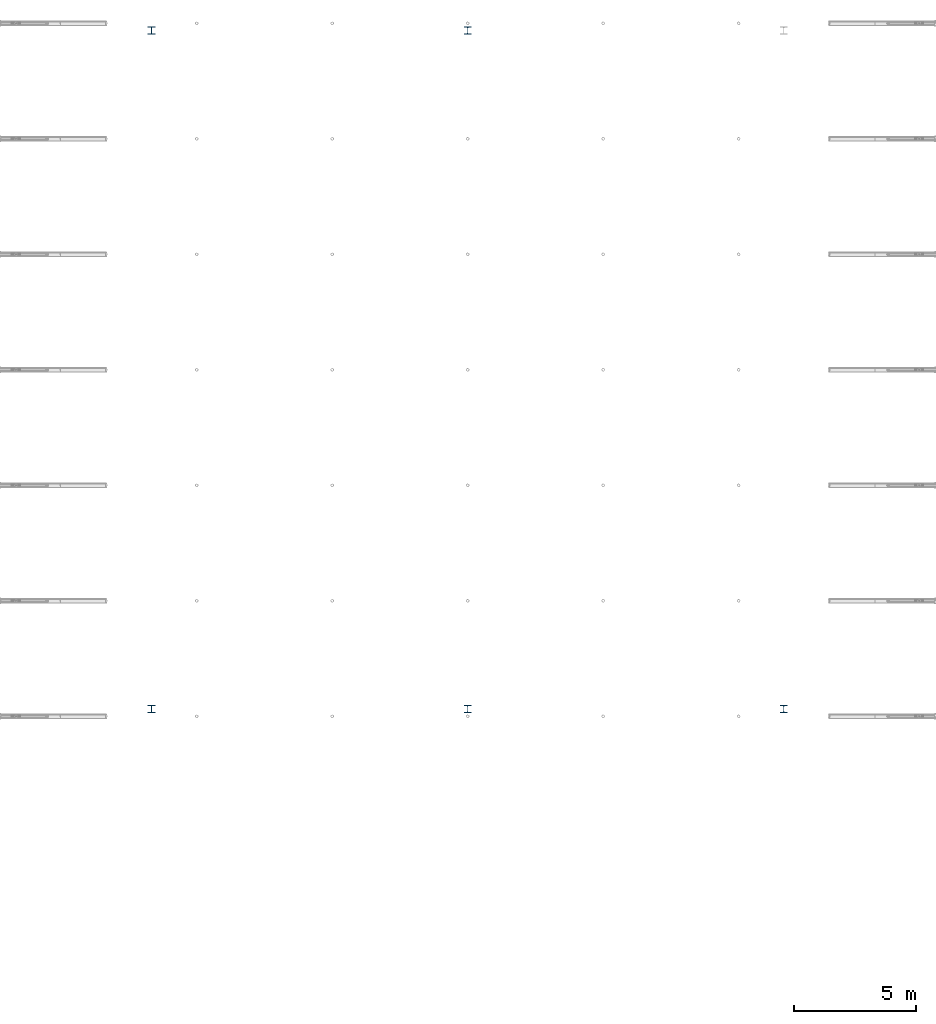
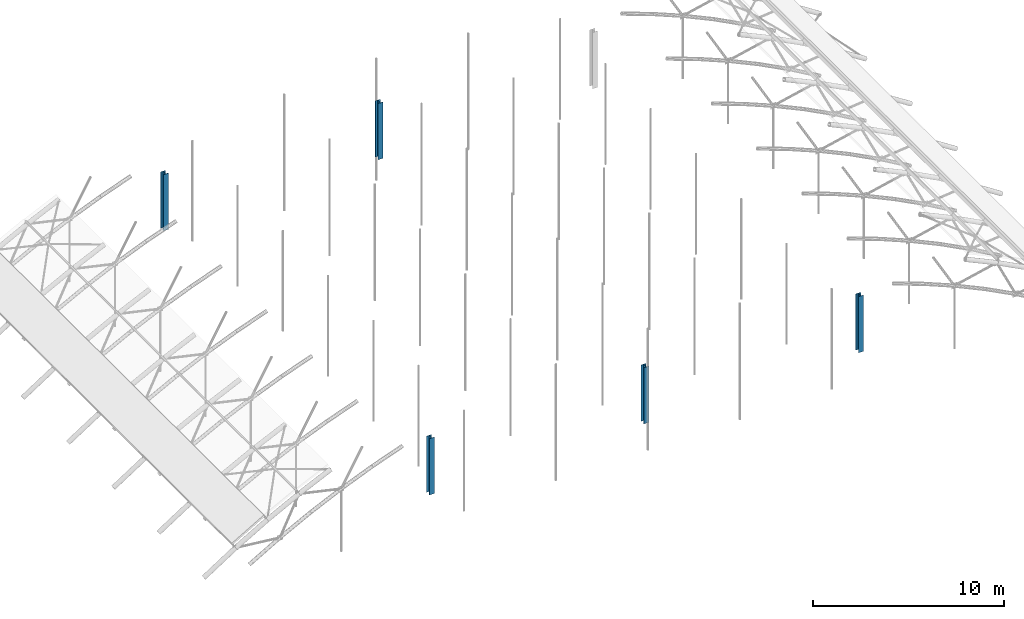
# One storey, part 2 of 50: 5 columns.
"""IFC4 building model written with IfcOpenShell, lengths in metres."""

from ifc_helpers import new_model, si_unit, direction, frame, origin, origin_2d, place, context, subcontext, project, spatial, i_section, extrude, material, material_profile, profile_set, type_object, element, save


model = new_model("IFC4")

# Units and contexts
model_context = context("Model", 3, precision=1e-05, world=origin(), true_north=direction((0.0, 1.0)))
body_context = subcontext(model_context, "Body", "Model", "MODEL_VIEW")
ifc_project = project(units=[si_unit("LENGTHUNIT", "METRE"), si_unit("AREAUNIT", "SQUARE_METRE"), si_unit("VOLUMEUNIT", "CUBIC_METRE"), si_unit("PLANEANGLEUNIT", "RADIAN"), si_unit("MASSUNIT", "GRAM", prefix="KILO")], contexts=[model_context])

# Site, building, storey
site_placement = place(None, origin())
site = spatial("IfcSite", under=ifc_project, at=site_placement, CompositionType="ELEMENT")
building_placement = place(site_placement, origin())
building = spatial("IfcBuilding", under=site, at=building_placement, Name="Elbe Cascade School", CompositionType="ELEMENT")
storey_placement = place(building_placement, frame((0.0, 0.0, 15.300048828125)))
storey = spatial("IfcBuildingStorey", under=building, at=storey_placement, Name="L04", CompositionType="ELEMENT", Elevation=15.300048828125)

# Columns
ifc_material = material(Name="Steel S355J2", Category="steel")
ifc_material_profile = material_profile(ifc_material, i_section(OverallWidth=0.300048828125, OverallDepth=0.300048828125, WebThickness=0.010986328125, FlangeThickness=0.01904296875, FilletRadius=0.027099609375, at=origin_2d()), Name="HEB 300")
ifc_profile_set = profile_set([ifc_material_profile], Name="Steel S355J2")
column_type = type_object("IfcColumnType", Name="Hall gable post HEB 300", PredefinedType="COLUMN", material=ifc_profile_set)
for number, where, z_axis, x_axis, name in (
    (1, (21.0, 41.300048828125, 0.0), (0.0, 0.0, 1.0), (1.0, 0.0, 0.0), "Gable post S21"),
    (2, (34.0, 41.300048828125, 0.0), (0.0, 0.0, 1.0), (1.0, 0.0, 0.0), "Gable post S34"),
    (3, (47.0, 41.300048828125, 0.0), (0.0, 0.0, 1.0), (1.0, 0.0, 0.0), "Gable post S47"),
    (4, (21.0, 69.199951171875, 0.0), (0.0, 0.0, 1.0), (1.0, 0.0, 0.0), "Gable post N21"),
    (5, (34.0, 69.199951171875, 0.0), (0.0, 0.0, 1.0), (1.0, 0.0, 0.0), "Gable post N34"),
):
    element("IfcColumn", number, at=place(storey_placement, frame(where, z_axis=z_axis, x_axis=x_axis)), inside=storey, type_object=column_type, Name=name, PredefinedType="COLUMN", context=body_context, shape_type="SweptSolid", body=[
        extrude(i_section(OverallWidth=0.300048828125, OverallDepth=0.300048828125, WebThickness=0.010986328125, FlangeThickness=0.01904296875, FilletRadius=0.027099609375, at=origin_2d()), origin(), (0.0, 0.0, 1.0), 3.599853515625),
    ])

save(model, "model.ifc")
